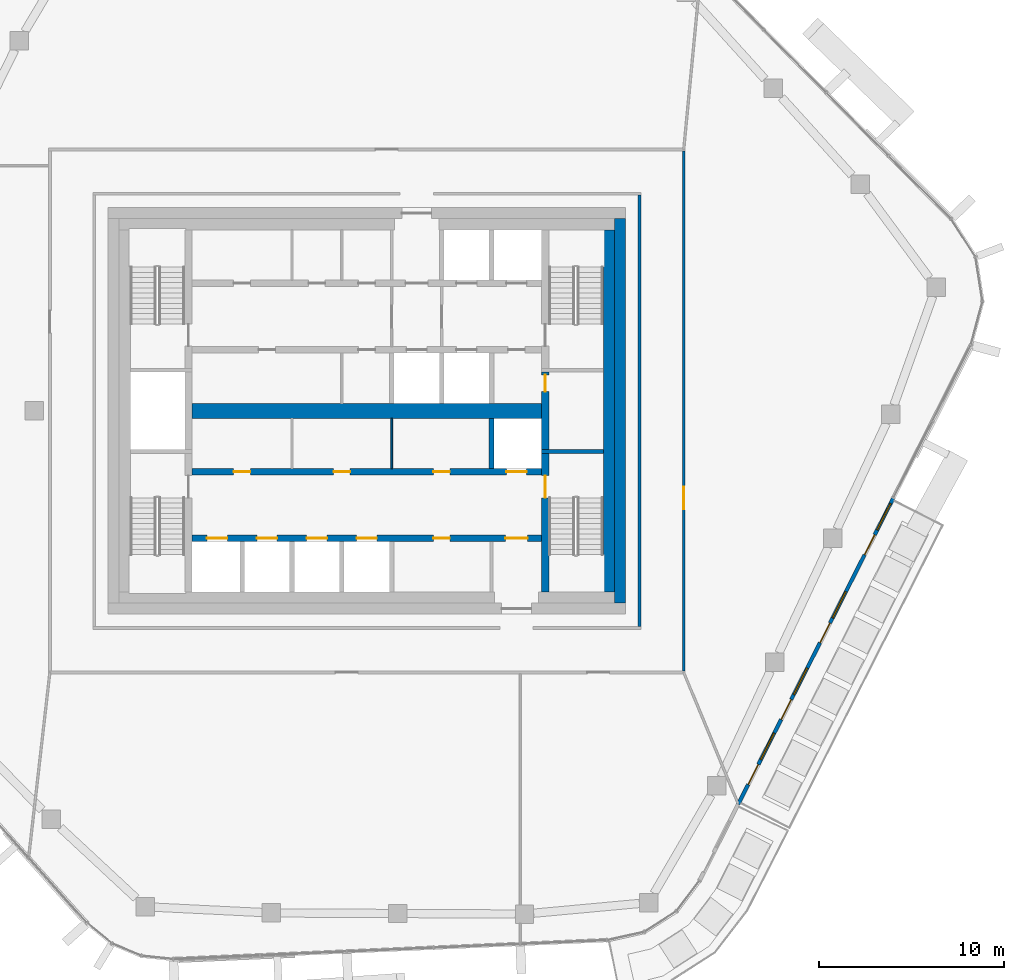
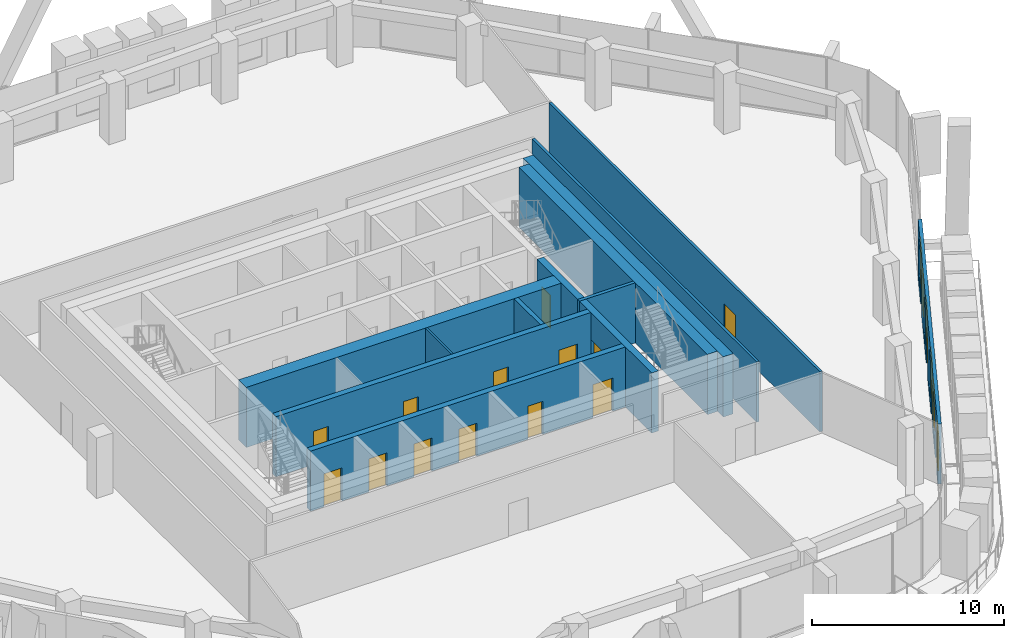
# One storey, part 13 of 23: 17 doors, 13 walls, 4 windows, 21 openings.
"""IFC4 building model written with IfcOpenShell, lengths in metres."""

from ifc_helpers import new_model, si_unit, direction, frame, frame_2d, origin, place, context, subcontext, project, spatial, rectangle, extrude, material, layer, layer_set, type_object, element, fill, save


model = new_model("IFC4")

# Units and contexts
model_context = context("Model", 3, precision=1e-05, world=origin(), true_north=direction((0.0, 1.0)))
body_context = subcontext(model_context, "Body", "Model", "MODEL_VIEW")
ifc_project = project(units=[si_unit("LENGTHUNIT", "METRE"), si_unit("AREAUNIT", "SQUARE_METRE"), si_unit("VOLUMEUNIT", "CUBIC_METRE"), si_unit("PLANEANGLEUNIT", "RADIAN"), si_unit("MASSUNIT", "GRAM", prefix="KILO")], contexts=[model_context])

# Site, building, storey
site_placement = place(None, origin())
site = spatial("IfcSite", under=ifc_project, at=site_placement, CompositionType="ELEMENT")
building_placement = place(site_placement, origin())
building = spatial("IfcBuilding", under=site, at=building_placement, Name="Dongbaek Canopy Tower", CompositionType="ELEMENT")
storey_placement = place(building_placement, frame((0.0, 0.0, 327.800048828125)))
storey = spatial("IfcBuildingStorey", under=building, at=storey_placement, Name="L70", CompositionType="ELEMENT", Elevation=327.800048828125)

# Wall
ifc_material_1 = material(Name="Concrete C60/75", Category="concrete")
ifc_layer_1 = layer(ifc_material_1, 0.800048828125)
ifc_layer_set_1 = layer_set([ifc_layer_1], Name="Core central wall 800 Concrete C60/75")
wall_type_1 = type_object("IfcWallType", Name="Core central wall 800 Concrete C60/75", PredefinedType="SHEAR", material=ifc_layer_set_1)
wall_1_placement = place(storey_placement, frame((-9.449951171875, 0.0, 0.0), z_axis=(0.0, 0.0, 1.0), x_axis=(1.0, 0.0, 0.0)))
element("IfcWall", 1, at=wall_1_placement, inside=storey, type_object=wall_type_1, Name="Core wall", PredefinedType="SHEAR", context=body_context, shape_type="SweptSolid", body=[
    extrude(rectangle(XDim=18.89990234375, YDim=0.800048828125, at=frame_2d((9.449951171875, 0.0))), origin(), (0.0, 0.0, 1.0), 3.820068359375),
])

# Wall, openings, doors
ifc_material_2 = material(Name="Concrete C60/75", Category="concrete")
ifc_layer_2 = layer(ifc_material_2, 0.35009765625)
ifc_layer_set_2 = layer_set([ifc_layer_2], Name="Core lobby wall 350 Concrete C60/75")
wall_type_2 = type_object("IfcWallType", Name="Core lobby wall 350 Concrete C60/75", PredefinedType="SHEAR", material=ifc_layer_set_2)
wall_2_placement = place(storey_placement, frame((-9.449951171875, -3.300048828125, 0.0), z_axis=(0.0, 0.0, 1.0), x_axis=(1.0, 0.0, 0.0)))
wall_2 = element("IfcWall", 2, at=wall_2_placement, inside=storey, type_object=wall_type_2, Name="Core wall", PredefinedType="SHEAR", context=body_context, shape_type="SweptSolid", body=[
    extrude(rectangle(XDim=18.89990234375, YDim=0.35009765625, at=frame_2d((9.449951171875, 0.0))), origin(), (0.0, 0.0, 1.0), 3.820068359375),
])
opening_1_placement = place(wall_2_placement, frame((17.0, 0.0, 0.0)))
opening_1 = element("IfcOpeningElement", 3, at=opening_1_placement, cuts=wall_2, Name="Opening L70-D014", PredefinedType="OPENING", context=body_context, shape_type="SweptSolid", body=[
    extrude(rectangle(XDim=1.10009765625, YDim=2.10009765625, at=frame_2d((0.550048828125, 1.050048828125))), frame((0.0, 0.18505859375, 0.0), z_axis=(0.0, -1.0, 0.0), x_axis=(1.0, 0.0, 0.0)), (0.0, 0.0, 1.0), 0.3701171875),
])
opening_2_placement = place(wall_2_placement, frame((2.25, 0.0, 0.0)))
opening_2 = element("IfcOpeningElement", 4, at=opening_2_placement, cuts=wall_2, Name="Opening L70-D026", PredefinedType="OPENING", context=body_context, shape_type="SweptSolid", body=[
    extrude(rectangle(XDim=0.89990234375, YDim=2.10009765625, at=frame_2d((0.449951171875, 1.050048828125))), frame((0.0, 0.18505859375, 0.0), z_axis=(0.0, -1.0, 0.0), x_axis=(1.0, 0.0, 0.0)), (0.0, 0.0, 1.0), 0.3701171875),
])
opening_3_placement = place(wall_2_placement, frame((7.64990234375, 0.0, 0.0)))
opening_3 = element("IfcOpeningElement", 5, at=opening_3_placement, cuts=wall_2, Name="Opening L70-D027", PredefinedType="OPENING", context=body_context, shape_type="SweptSolid", body=[
    extrude(rectangle(XDim=0.89990234375, YDim=2.10009765625, at=frame_2d((0.449951171875, 1.050048828125))), frame((0.0, 0.18505859375, 0.0), z_axis=(0.0, -1.0, 0.0), x_axis=(1.0, 0.0, 0.0)), (0.0, 0.0, 1.0), 0.3701171875),
])
opening_4_placement = place(wall_2_placement, frame((13.050048828125, 0.0, 0.0)))
opening_4 = element("IfcOpeningElement", 6, at=opening_4_placement, cuts=wall_2, Name="Opening L70-D028", PredefinedType="OPENING", context=body_context, shape_type="SweptSolid", body=[
    extrude(rectangle(XDim=0.89990234375, YDim=2.10009765625, at=frame_2d((0.449951171875, 1.050048828125))), frame((0.0, 0.18505859375, 0.0), z_axis=(0.0, -1.0, 0.0), x_axis=(1.0, 0.0, 0.0)), (0.0, 0.0, 1.0), 0.3701171875),
])
ifc_material_3 = material(Name="Steel", Category="steel")
door_type_1 = type_object("IfcDoorType", Name="Core room door 900 x 2100", OperationType="SINGLE_SWING_LEFT", PredefinedType="DOOR", material=ifc_material_3)
door_1_placement = place(opening_2_placement, origin())
door_1 = element("IfcDoor", 7, at=door_1_placement, inside=storey, type_object=door_type_1, Name="Door L70-D026", OperationType="SINGLE_SWING_LEFT", OverallHeight=2.10009765625, OverallWidth=0.89990234375, PredefinedType="DOOR", context=body_context, shape_type="SweptSolid", body=[
    extrude(rectangle(XDim=0.89990234375, YDim=2.10009765625, at=frame_2d((0.449951171875, 1.050048828125))), frame((0.0, 0.02490234375, 0.0), z_axis=(0.0, -1.0, 0.0), x_axis=(1.0, 0.0, 0.0)), (0.0, 0.0, 1.0), 0.050048828125),
])
fill(opening_2, door_1)
door_2_placement = place(opening_3_placement, origin())
door_2 = element("IfcDoor", 8, at=door_2_placement, inside=storey, type_object=door_type_1, Name="Door L70-D027", OperationType="SINGLE_SWING_RIGHT", OverallHeight=2.10009765625, OverallWidth=0.89990234375, PredefinedType="DOOR", context=body_context, shape_type="SweptSolid", body=[
    extrude(rectangle(XDim=0.89990234375, YDim=2.10009765625, at=frame_2d((0.449951171875, 1.050048828125))), frame((0.0, 0.02490234375, 0.0), z_axis=(0.0, -1.0, 0.0), x_axis=(1.0, 0.0, 0.0)), (0.0, 0.0, 1.0), 0.050048828125),
])
fill(opening_3, door_2)
door_3_placement = place(opening_4_placement, origin())
door_3 = element("IfcDoor", 9, at=door_3_placement, inside=storey, type_object=door_type_1, Name="Door L70-D028", OperationType="SINGLE_SWING_LEFT", OverallHeight=2.10009765625, OverallWidth=0.89990234375, PredefinedType="DOOR", context=body_context, shape_type="SweptSolid", body=[
    extrude(rectangle(XDim=0.89990234375, YDim=2.10009765625, at=frame_2d((0.449951171875, 1.050048828125))), frame((0.0, 0.02490234375, 0.0), z_axis=(0.0, -1.0, 0.0), x_axis=(1.0, 0.0, 0.0)), (0.0, 0.0, 1.0), 0.050048828125),
])
fill(opening_4, door_3)
ifc_material_4 = material(Name="Stainless steel", Category="steel")
door_type_2 = type_object("IfcDoorType", Name="Lift landing door 1100 x 2100", OperationType="DOUBLE_DOOR_SLIDING", PredefinedType="DOOR", material=ifc_material_4)
door_4_placement = place(opening_1_placement, origin())
door_4 = element("IfcDoor", 10, at=door_4_placement, inside=storey, type_object=door_type_2, Name="Landing door SV2", OperationType="DOUBLE_DOOR_SLIDING", OverallHeight=2.10009765625, OverallWidth=1.10009765625, PredefinedType="DOOR", context=body_context, shape_type="SweptSolid", body=[
    extrude(rectangle(XDim=1.10009765625, YDim=2.10009765625, at=frame_2d((0.550048828125, 1.050048828125))), frame((0.0, 0.02490234375, 0.0), z_axis=(0.0, -1.0, 0.0), x_axis=(1.0, 0.0, 0.0)), (0.0, 0.0, 1.0), 0.050048828125),
])
fill(opening_1, door_4)

wall_3_placement = place(storey_placement, frame((9.449951171875, -6.89990234375, 0.0), z_axis=(0.0, 0.0, 1.0), x_axis=(-1.0, 0.0, 0.0)))
wall_3 = element("IfcWall", 11, at=wall_3_placement, inside=storey, type_object=wall_type_2, Name="Core wall", PredefinedType="SHEAR", context=body_context, shape_type="SweptSolid", body=[
    extrude(rectangle(XDim=18.89990234375, YDim=0.35009765625, at=frame_2d((9.449951171875, 0.0))), origin(), (0.0, 0.0, 1.0), 3.820068359375),
])
opening_5_placement = place(wall_3_placement, frame((17.0, 0.0, 0.0)))
opening_5 = element("IfcOpeningElement", 12, at=opening_5_placement, cuts=wall_3, Name="Opening L70-D015", PredefinedType="OPENING", context=body_context, shape_type="SweptSolid", body=[
    extrude(rectangle(XDim=1.10009765625, YDim=2.10009765625, at=frame_2d((0.550048828125, 1.050048828125))), frame((0.0, 0.18505859375, 0.0), z_axis=(0.0, -1.0, 0.0), x_axis=(1.0, 0.0, 0.0)), (0.0, 0.0, 1.0), 0.3701171875),
])
opening_6_placement = place(wall_3_placement, frame((14.300048828125, 0.0, 0.0)))
opening_6 = element("IfcOpeningElement", 13, at=opening_6_placement, cuts=wall_3, Name="Opening L70-D016", PredefinedType="OPENING", context=body_context, shape_type="SweptSolid", body=[
    extrude(rectangle(XDim=1.10009765625, YDim=2.10009765625, at=frame_2d((0.550048828125, 1.050048828125))), frame((0.0, 0.18505859375, 0.0), z_axis=(0.0, -1.0, 0.0), x_axis=(1.0, 0.0, 0.0)), (0.0, 0.0, 1.0), 0.3701171875),
])
opening_7_placement = place(wall_3_placement, frame((11.60009765625, 0.0, 0.0)))
opening_7 = element("IfcOpeningElement", 14, at=opening_7_placement, cuts=wall_3, Name="Opening L70-D017", PredefinedType="OPENING", context=body_context, shape_type="SweptSolid", body=[
    extrude(rectangle(XDim=1.10009765625, YDim=2.10009765625, at=frame_2d((0.550048828125, 1.050048828125))), frame((0.0, 0.18505859375, 0.0), z_axis=(0.0, -1.0, 0.0), x_axis=(1.0, 0.0, 0.0)), (0.0, 0.0, 1.0), 0.3701171875),
])
opening_8_placement = place(wall_3_placement, frame((8.89990234375, 0.0, 0.0)))
opening_8 = element("IfcOpeningElement", 15, at=opening_8_placement, cuts=wall_3, Name="Opening L70-D018", PredefinedType="OPENING", context=body_context, shape_type="SweptSolid", body=[
    extrude(rectangle(XDim=1.10009765625, YDim=2.10009765625, at=frame_2d((0.550048828125, 1.050048828125))), frame((0.0, 0.18505859375, 0.0), z_axis=(0.0, -1.0, 0.0), x_axis=(1.0, 0.0, 0.0)), (0.0, 0.0, 1.0), 0.3701171875),
])
opening_9_placement = place(wall_3_placement, frame((0.75, 0.0, 0.0)))
opening_9 = element("IfcOpeningElement", 16, at=opening_9_placement, cuts=wall_3, Name="Opening L70-D020", PredefinedType="OPENING", context=body_context, shape_type="SweptSolid", body=[
    extrude(rectangle(XDim=1.199951171875, YDim=2.10009765625, at=frame_2d((0.60009765625, 1.050048828125))), frame((0.0, 0.18505859375, 0.0), z_axis=(0.0, -1.0, 0.0), x_axis=(1.0, 0.0, 0.0)), (0.0, 0.0, 1.0), 0.3701171875),
])
opening_10_placement = place(wall_3_placement, frame((4.949951171875, 0.0, 0.0)))
opening_10 = element("IfcOpeningElement", 17, at=opening_10_placement, cuts=wall_3, Name="Opening L70-D029", PredefinedType="OPENING", context=body_context, shape_type="SweptSolid", body=[
    extrude(rectangle(XDim=0.89990234375, YDim=2.10009765625, at=frame_2d((0.449951171875, 1.050048828125))), frame((0.0, 0.18505859375, 0.0), z_axis=(0.0, -1.0, 0.0), x_axis=(1.0, 0.0, 0.0)), (0.0, 0.0, 1.0), 0.3701171875),
])
door_5_placement = place(opening_10_placement, origin())
door_5 = element("IfcDoor", 18, at=door_5_placement, inside=storey, type_object=door_type_1, Name="Door L70-D029", OperationType="SINGLE_SWING_RIGHT", OverallHeight=2.10009765625, OverallWidth=0.89990234375, PredefinedType="DOOR", context=body_context, shape_type="SweptSolid", body=[
    extrude(rectangle(XDim=0.89990234375, YDim=2.10009765625, at=frame_2d((0.449951171875, 1.050048828125))), frame((0.0, 0.02490234375, 0.0), z_axis=(0.0, -1.0, 0.0), x_axis=(1.0, 0.0, 0.0)), (0.0, 0.0, 1.0), 0.050048828125),
])
fill(opening_10, door_5)
ifc_material_5 = material(Name="Steel", Category="steel")
door_type_3 = type_object("IfcDoorType", Name="Fire lobby door 1200 x 2100", OperationType="SINGLE_SWING_LEFT", PredefinedType="DOOR", material=ifc_material_5)
door_6_placement = place(opening_9_placement, origin())
door_6 = element("IfcDoor", 19, at=door_6_placement, inside=storey, type_object=door_type_3, Name="Door L70-D020", OperationType="SINGLE_SWING_LEFT", OverallHeight=2.10009765625, OverallWidth=1.199951171875, PredefinedType="DOOR", context=body_context, shape_type="SweptSolid", body=[
    extrude(rectangle(XDim=1.199951171875, YDim=2.10009765625, at=frame_2d((0.60009765625, 1.050048828125))), frame((0.0, 0.02490234375, 0.0), z_axis=(0.0, -1.0, 0.0), x_axis=(1.0, 0.0, 0.0)), (0.0, 0.0, 1.0), 0.050048828125),
])
fill(opening_9, door_6)
door_7_placement = place(opening_5_placement, origin())
door_7 = element("IfcDoor", 20, at=door_7_placement, inside=storey, type_object=door_type_2, Name="Landing door HR1", OperationType="DOUBLE_DOOR_SLIDING", OverallHeight=2.10009765625, OverallWidth=1.10009765625, PredefinedType="DOOR", context=body_context, shape_type="SweptSolid", body=[
    extrude(rectangle(XDim=1.10009765625, YDim=2.10009765625, at=frame_2d((0.550048828125, 1.050048828125))), frame((0.0, 0.02490234375, 0.0), z_axis=(0.0, -1.0, 0.0), x_axis=(1.0, 0.0, 0.0)), (0.0, 0.0, 1.0), 0.050048828125),
])
fill(opening_5, door_7)
door_8_placement = place(opening_6_placement, origin())
door_8 = element("IfcDoor", 21, at=door_8_placement, inside=storey, type_object=door_type_2, Name="Landing door HR2", OperationType="DOUBLE_DOOR_SLIDING", OverallHeight=2.10009765625, OverallWidth=1.10009765625, PredefinedType="DOOR", context=body_context, shape_type="SweptSolid", body=[
    extrude(rectangle(XDim=1.10009765625, YDim=2.10009765625, at=frame_2d((0.550048828125, 1.050048828125))), frame((0.0, 0.02490234375, 0.0), z_axis=(0.0, -1.0, 0.0), x_axis=(1.0, 0.0, 0.0)), (0.0, 0.0, 1.0), 0.050048828125),
])
fill(opening_6, door_8)
door_9_placement = place(opening_7_placement, origin())
door_9 = element("IfcDoor", 22, at=door_9_placement, inside=storey, type_object=door_type_2, Name="Landing door HR3", OperationType="DOUBLE_DOOR_SLIDING", OverallHeight=2.10009765625, OverallWidth=1.10009765625, PredefinedType="DOOR", context=body_context, shape_type="SweptSolid", body=[
    extrude(rectangle(XDim=1.10009765625, YDim=2.10009765625, at=frame_2d((0.550048828125, 1.050048828125))), frame((0.0, 0.02490234375, 0.0), z_axis=(0.0, -1.0, 0.0), x_axis=(1.0, 0.0, 0.0)), (0.0, 0.0, 1.0), 0.050048828125),
])
fill(opening_7, door_9)
door_10_placement = place(opening_8_placement, origin())
door_10 = element("IfcDoor", 23, at=door_10_placement, inside=storey, type_object=door_type_2, Name="Landing door HR4", OperationType="DOUBLE_DOOR_SLIDING", OverallHeight=2.10009765625, OverallWidth=1.10009765625, PredefinedType="DOOR", context=body_context, shape_type="SweptSolid", body=[
    extrude(rectangle(XDim=1.10009765625, YDim=2.10009765625, at=frame_2d((0.550048828125, 1.050048828125))), frame((0.0, 0.02490234375, 0.0), z_axis=(0.0, -1.0, 0.0), x_axis=(1.0, 0.0, 0.0)), (0.0, 0.0, 1.0), 0.050048828125),
])
fill(opening_8, door_10)

# Walls
ifc_material_6 = material(Name="Concrete C80/95", Category="concrete")
ifc_layer_3 = layer(ifc_material_6, 0.60009765625)
ifc_layer_set_3 = layer_set([ifc_layer_3], Name="Core outer wall 600 Concrete C80/95")
wall_type_3 = type_object("IfcWallType", Name="Core outer wall 600 Concrete C80/95", PredefinedType="SHEAR", material=ifc_layer_set_3)
wall_4_placement = place(storey_placement, frame((13.699951171875, 10.39990234375, 0.0), z_axis=(0.0, 0.0, 1.0), x_axis=(0.0, -1.0, 0.0)))
element("IfcWall", 24, at=wall_4_placement, inside=storey, type_object=wall_type_3, Name="Core wall", PredefinedType="SHEAR", context=body_context, shape_type="SweptSolid", body=[
    extrude(rectangle(XDim=20.7998046875, YDim=0.60009765625, at=frame_2d((10.39990234375, 0.0))), origin(), (0.0, 0.0, 1.0), 3.820068359375),
])
ifc_material_7 = material(Name="Concrete C60/75", Category="concrete")
ifc_layer_4 = layer(ifc_material_7, 0.60009765625)
ifc_layer_set_4 = layer_set([ifc_layer_4], Name="Core wall lining 600 Concrete C60/75")
wall_type_4 = type_object("IfcWallType", Name="Core wall lining 600 Concrete C60/75", PredefinedType="SHEAR", material=ifc_layer_set_4)
wall_5_placement = place(storey_placement, frame((13.10009765625, 9.800048828125, 0.0), z_axis=(0.0, 0.0, 1.0), x_axis=(0.0, -1.0, 0.0)))
element("IfcWall", 25, at=wall_5_placement, inside=storey, type_object=wall_type_4, Name="Core wall lining", PredefinedType="SHEAR", context=body_context, shape_type="SweptSolid", body=[
    extrude(rectangle(XDim=19.60009765625, YDim=0.60009765625, at=frame_2d((9.800048828125, 0.0))), origin(), (0.0, 0.0, 1.0), 3.820068359375),
])

# Wall, opening, door
ifc_material_8 = material(Name="Gypsum board partition, steel stud, 2 x 15 mm fire board", Category="steel")
ifc_layer_5 = layer(ifc_material_8, 0.14990234375)
ifc_layer_set_5 = layer_set([ifc_layer_5], Name="Fire-rated partition 150 gypsum board")
wall_type_5 = type_object("IfcWallType", Name="Fire-rated partition 150 gypsum board", PredefinedType="PARTITIONING", material=ifc_layer_set_5)
wall_6_placement = place(storey_placement, frame((17.14990234375, 14.074951171875, 0.0), z_axis=(0.0, 0.0, 1.0), x_axis=(0.0, -1.0, 0.0)))
wall_6 = element("IfcWall", 26, at=wall_6_placement, inside=storey, type_object=wall_type_5, Name="Corridor partition", PredefinedType="PARTITIONING", context=body_context, shape_type="SweptSolid", body=[
    extrude(rectangle(XDim=28.14990234375, YDim=0.14990234375, at=frame_2d((14.074951171875, 0.0))), origin(), (0.0, 0.0, 1.0), 3.820068359375),
])
opening_11_placement = place(wall_6_placement, frame((18.185791015625, 0.0, 0.0)))
opening_11 = element("IfcOpeningElement", 27, at=opening_11_placement, cuts=wall_6, Name="Opening L70-D004", PredefinedType="OPENING", context=body_context, shape_type="SweptSolid", body=[
    extrude(rectangle(XDim=1.199951171875, YDim=2.10009765625, at=frame_2d((0.60009765625, 1.050048828125))), frame((0.0, 0.0849609375, 0.0), z_axis=(0.0, -1.0, 0.0), x_axis=(1.0, 0.0, 0.0)), (0.0, 0.0, 1.0), 0.169921875),
])
ifc_material_9 = material(Name="Timber veneered door leaf", Category="wood")
door_type_4 = type_object("IfcDoorType", Name="Room door 1200 x 2100", OperationType="SINGLE_SWING_LEFT", PredefinedType="DOOR", material=ifc_material_9)
door_11_placement = place(opening_11_placement, origin())
door_11 = element("IfcDoor", 28, at=door_11_placement, inside=storey, type_object=door_type_4, Name="Door L70-D004", OperationType="SINGLE_SWING_LEFT", OverallHeight=2.10009765625, OverallWidth=1.199951171875, PredefinedType="DOOR", context=body_context, shape_type="SweptSolid", body=[
    extrude(rectangle(XDim=1.199951171875, YDim=2.10009765625, at=frame_2d((0.60009765625, 1.050048828125))), frame((0.0, 0.02490234375, 0.0), z_axis=(0.0, -1.0, 0.0), x_axis=(1.0, 0.0, 0.0)), (0.0, 0.0, 1.0), 0.050048828125),
])
fill(opening_11, door_11)

# Walls
wall_7_placement = place(storey_placement, frame((14.75, -11.675048828125, 0.0), z_axis=(0.0, 0.0, 1.0), x_axis=(0.0, 1.0, 0.0)))
element("IfcWall", 29, at=wall_7_placement, inside=storey, type_object=wall_type_5, Name="Corridor partition", PredefinedType="PARTITIONING", context=body_context, shape_type="SweptSolid", body=[
    extrude(rectangle(XDim=23.35009765625, YDim=0.14990234375, at=frame_2d((11.675048828125, 0.0))), origin(), (0.0, 0.0, 1.0), 3.820068359375),
])
ifc_material_10 = material(Name="Concrete C40/50", Category="concrete")
ifc_layer_6 = layer(ifc_material_10, 0.25)
ifc_layer_set_6 = layer_set([ifc_layer_6], Name="Lift shaft wall 250 Concrete C40/50")
wall_type_6 = type_object("IfcWallType", Name="Lift shaft wall 250 Concrete C40/50", PredefinedType="SOLIDWALL", material=ifc_layer_set_6)
wall_8_placement = place(storey_placement, frame((6.75, -3.125, 0.0), z_axis=(0.0, 0.0, 1.0), x_axis=(0.0, 1.0, 0.0)))
element("IfcWall", 30, at=wall_8_placement, inside=storey, type_object=wall_type_6, Name="Lift shaft wall", PredefinedType="SOLIDWALL", context=body_context, shape_type="SweptSolid", body=[
    extrude(rectangle(XDim=2.72509765625, YDim=0.25, at=frame_2d((1.362548828125, 0.0))), origin(), (0.0, 0.0, 1.0), 3.820068359375),
])
ifc_material_11 = material(Name="Gypsum board partition, steel stud, 2 x 12.5 mm board", Category="steel")
ifc_layer_7 = layer(ifc_material_11, 0.10009765625)
ifc_layer_set_7 = layer_set([ifc_layer_7], Name="Partition 100 gypsum board")
wall_type_7 = type_object("IfcWallType", Name="Partition 100 gypsum board", PredefinedType="PARTITIONING", material=ifc_layer_set_7)
wall_9_placement = place(storey_placement, frame((1.35009765625, -3.125, 0.0), z_axis=(0.0, 0.0, 1.0), x_axis=(0.0, 1.0, 0.0)))
element("IfcWall", 31, at=wall_9_placement, inside=storey, type_object=wall_type_7, Name="Core partition", PredefinedType="PARTITIONING", context=body_context, shape_type="SweptSolid", body=[
    extrude(rectangle(XDim=2.72509765625, YDim=0.10009765625, at=frame_2d((1.362548828125, 0.0))), origin(), (0.0, 0.0, 1.0), 3.820068359375),
])
ifc_material_12 = material(Name="Concrete C60/75", Category="concrete")
ifc_layer_8 = layer(ifc_material_12, 0.199951171875)
ifc_layer_set_8 = layer_set([ifc_layer_8], Name="Riser wall 200 Concrete C60/75")
wall_type_8 = type_object("IfcWallType", Name="Riser wall 200 Concrete C60/75", PredefinedType="SHEAR", material=ifc_layer_set_8)
wall_10_placement = place(storey_placement, frame((9.449951171875, -2.199951171875, 0.0), z_axis=(0.0, 0.0, 1.0), x_axis=(1.0, 0.0, 0.0)))
element("IfcWall", 32, at=wall_10_placement, inside=storey, type_object=wall_type_8, Name="Riser wall", PredefinedType="SHEAR", context=body_context, shape_type="SweptSolid", body=[
    extrude(rectangle(XDim=3.35009765625, YDim=0.199951171875, at=frame_2d((1.675048828125, 0.0))), origin(), (0.0, 0.0, 1.0), 3.820068359375),
])

# Wall, opening, door
ifc_material_13 = material(Name="Concrete C60/75", Category="concrete")
ifc_layer_9 = layer(ifc_material_13, 0.39990234375)
ifc_layer_set_9 = layer_set([ifc_layer_9], Name="Stair wall 400 Concrete C60/75")
wall_type_9 = type_object("IfcWallType", Name="Stair wall 400 Concrete C60/75", PredefinedType="SHEAR", material=ifc_layer_set_9)
wall_11_placement = place(storey_placement, frame((9.64990234375, -2.300048828125, 0.0), z_axis=(0.0, 0.0, 1.0), x_axis=(0.0, -1.0, 0.0)))
wall_11 = element("IfcWall", 33, at=wall_11_placement, inside=storey, type_object=wall_type_9, Name="Stair wall", PredefinedType="SHEAR", context=body_context, shape_type="SweptSolid", body=[
    extrude(rectangle(XDim=7.5, YDim=0.39990234375, at=frame_2d((3.75, 0.0))), origin(), (0.0, 0.0, 1.0), 3.820068359375),
])
opening_12_placement = place(wall_11_placement, frame((1.199951171875, 0.0, 0.0)))
opening_12 = element("IfcOpeningElement", 34, at=opening_12_placement, cuts=wall_11, Name="Opening L70-D032", PredefinedType="OPENING", context=body_context, shape_type="SweptSolid", body=[
    extrude(rectangle(XDim=1.199951171875, YDim=2.10009765625, at=frame_2d((0.60009765625, 1.050048828125))), frame((0.0, 0.2099609375, 0.0), z_axis=(0.0, -1.0, 0.0), x_axis=(1.0, 0.0, 0.0)), (0.0, 0.0, 1.0), 0.419921875),
])
ifc_material_14 = material(Name="Steel", Category="steel")
door_type_5 = type_object("IfcDoorType", Name="Stair door 1200 x 2100", OperationType="SINGLE_SWING_LEFT", PredefinedType="DOOR", material=ifc_material_14)
door_12_placement = place(opening_12_placement, origin())
door_12 = element("IfcDoor", 35, at=door_12_placement, inside=storey, type_object=door_type_5, Name="Stair B door", OperationType="SINGLE_SWING_RIGHT", OverallHeight=2.10009765625, OverallWidth=1.199951171875, PredefinedType="DOOR", context=body_context, shape_type="SweptSolid", body=[
    extrude(rectangle(XDim=1.199951171875, YDim=2.10009765625, at=frame_2d((0.60009765625, 1.050048828125))), frame((0.0, 0.02490234375, 0.0), z_axis=(0.0, -1.0, 0.0), x_axis=(1.0, 0.0, 0.0)), (0.0, 0.0, 1.0), 0.050048828125),
])
fill(opening_12, door_12)

wall_12_placement = place(storey_placement, frame((9.64990234375, 2.10009765625, 0.0), z_axis=(0.0, 0.0, 1.0), x_axis=(0.0, -1.0, 0.0)))
wall_12 = element("IfcWall", 36, at=wall_12_placement, inside=storey, type_object=wall_type_9, Name="Stair wall", PredefinedType="SHEAR", context=body_context, shape_type="SweptSolid", body=[
    extrude(rectangle(XDim=4.2001953125, YDim=0.39990234375, at=frame_2d((2.10009765625, 0.0))), origin(), (0.0, 0.0, 1.0), 3.820068359375),
])
opening_13_placement = place(wall_12_placement, frame((0.14990234375, 0.0, 0.0)))
opening_13 = element("IfcOpeningElement", 37, at=opening_13_placement, cuts=wall_12, Name="Opening L70-D006", PredefinedType="OPENING", context=body_context, shape_type="SweptSolid", body=[
    extrude(rectangle(XDim=0.89990234375, YDim=2.10009765625, at=frame_2d((0.449951171875, 1.050048828125))), frame((0.0, 0.2099609375, 0.0), z_axis=(0.0, -1.0, 0.0), x_axis=(1.0, 0.0, 0.0)), (0.0, 0.0, 1.0), 0.419921875),
])
door_13_placement = place(opening_13_placement, origin())
door_13 = element("IfcDoor", 38, at=door_13_placement, inside=storey, type_object=door_type_1, Name="Door L70-D006", OperationType="SINGLE_SWING_RIGHT", OverallHeight=2.10009765625, OverallWidth=0.89990234375, PredefinedType="DOOR", context=body_context, shape_type="SweptSolid", body=[
    extrude(rectangle(XDim=0.89990234375, YDim=2.10009765625, at=frame_2d((0.449951171875, 1.050048828125))), frame((0.0, 0.02490234375, 0.0), z_axis=(0.0, -1.0, 0.0), x_axis=(1.0, 0.0, 0.0)), (0.0, 0.0, 1.0), 0.050048828125),
])
fill(opening_13, door_13)

# Wall, openings, doors, windows
ifc_material_15 = material(Name="Aluminium window wall", Category="aluminium")
ifc_layer_10 = layer(ifc_material_15, 0.199951171875)
ifc_layer_set_10 = layer_set([ifc_layer_10], Name="Window wall 200")
wall_type_10 = type_object("IfcWallType", Name="Window wall 200", PredefinedType="SOLIDWALL", material=ifc_layer_set_10)
wall_13_placement = place(storey_placement, frame((20.102294921875, -21.27587890625, 0.0), z_axis=(0.0, 0.0, 1.0), x_axis=(0.451966467013, 0.892034927957, 0.0)))
wall_13 = element("IfcWall", 39, at=wall_13_placement, inside=storey, type_object=wall_type_10, Name="Window wall L70 4", PredefinedType="SOLIDWALL", context=body_context, shape_type="SweptSolid", body=[
    extrude(rectangle(XDim=18.570068359375, YDim=0.199951171875, at=frame_2d((9.28515625, 0.0))), origin(), (0.0, 0.0, 1.0), 3.820068359375),
])
opening_14_placement = place(wall_13_placement, frame((2.699951171875, 0.0, 0.60009765625)))
opening_14 = element("IfcOpeningElement", 40, at=opening_14_placement, cuts=wall_13, Name="Opening W1", PredefinedType="OPENING", context=body_context, shape_type="SweptSolid", body=[
    extrude(rectangle(XDim=1.60009765625, YDim=2.39990234375, at=frame_2d((0.800048828125, 1.199951171875))), frame((0.0, 0.10986328125, 0.0), z_axis=(0.0, -1.0, 0.0), x_axis=(1.0, 0.0, 0.0)), (0.0, 0.0, 1.0), 0.219970703125),
])
opening_15_placement = place(wall_13_placement, frame((1.199951171875, 0.0, 0.0)))
opening_15 = element("IfcOpeningElement", 41, at=opening_15_placement, cuts=wall_13, Name="Opening L70-B12", PredefinedType="OPENING", context=body_context, shape_type="SweptSolid", body=[
    extrude(rectangle(XDim=1.199951171875, YDim=2.39990234375, at=frame_2d((0.60009765625, 1.199951171875))), frame((0.0, 0.10986328125, 0.0), z_axis=(0.0, -1.0, 0.0), x_axis=(1.0, 0.0, 0.0)), (0.0, 0.0, 1.0), 0.219970703125),
])
opening_16_placement = place(wall_13_placement, frame((6.642578125, 0.0, 0.60009765625)))
opening_16 = element("IfcOpeningElement", 42, at=opening_16_placement, cuts=wall_13, Name="Opening W1", PredefinedType="OPENING", context=body_context, shape_type="SweptSolid", body=[
    extrude(rectangle(XDim=1.60009765625, YDim=2.39990234375, at=frame_2d((0.800048828125, 1.199951171875))), frame((0.0, 0.10986328125, 0.0), z_axis=(0.0, -1.0, 0.0), x_axis=(1.0, 0.0, 0.0)), (0.0, 0.0, 1.0), 0.219970703125),
])
opening_17_placement = place(wall_13_placement, frame((5.142578125, 0.0, 0.0)))
opening_17 = element("IfcOpeningElement", 43, at=opening_17_placement, cuts=wall_13, Name="Opening L70-B13", PredefinedType="OPENING", context=body_context, shape_type="SweptSolid", body=[
    extrude(rectangle(XDim=1.199951171875, YDim=2.39990234375, at=frame_2d((0.60009765625, 1.199951171875))), frame((0.0, 0.10986328125, 0.0), z_axis=(0.0, -1.0, 0.0), x_axis=(1.0, 0.0, 0.0)), (0.0, 0.0, 1.0), 0.219970703125),
])
opening_18_placement = place(wall_13_placement, frame((11.284912109375, 0.0, 0.60009765625)))
opening_18 = element("IfcOpeningElement", 44, at=opening_18_placement, cuts=wall_13, Name="Opening W1", PredefinedType="OPENING", context=body_context, shape_type="SweptSolid", body=[
    extrude(rectangle(XDim=1.60009765625, YDim=2.39990234375, at=frame_2d((0.800048828125, 1.199951171875))), frame((0.0, 0.10986328125, 0.0), z_axis=(0.0, -1.0, 0.0), x_axis=(1.0, 0.0, 0.0)), (0.0, 0.0, 1.0), 0.219970703125),
])
opening_19_placement = place(wall_13_placement, frame((9.784912109375, 0.0, 0.0)))
opening_19 = element("IfcOpeningElement", 45, at=opening_19_placement, cuts=wall_13, Name="Opening L70-B14", PredefinedType="OPENING", context=body_context, shape_type="SweptSolid", body=[
    extrude(rectangle(XDim=1.199951171875, YDim=2.39990234375, at=frame_2d((0.60009765625, 1.199951171875))), frame((0.0, 0.10986328125, 0.0), z_axis=(0.0, -1.0, 0.0), x_axis=(1.0, 0.0, 0.0)), (0.0, 0.0, 1.0), 0.219970703125),
])
opening_20_placement = place(wall_13_placement, frame((16.62744140625, 0.0, 0.60009765625)))
opening_20 = element("IfcOpeningElement", 46, at=opening_20_placement, cuts=wall_13, Name="Opening W1", PredefinedType="OPENING", context=body_context, shape_type="SweptSolid", body=[
    extrude(rectangle(XDim=1.60009765625, YDim=2.39990234375, at=frame_2d((0.800048828125, 1.199951171875))), frame((0.0, 0.10986328125, 0.0), z_axis=(0.0, -1.0, 0.0), x_axis=(1.0, 0.0, 0.0)), (0.0, 0.0, 1.0), 0.219970703125),
])
opening_21_placement = place(wall_13_placement, frame((15.12744140625, 0.0, 0.0)))
opening_21 = element("IfcOpeningElement", 47, at=opening_21_placement, cuts=wall_13, Name="Opening L70-B15", PredefinedType="OPENING", context=body_context, shape_type="SweptSolid", body=[
    extrude(rectangle(XDim=1.199951171875, YDim=2.39990234375, at=frame_2d((0.60009765625, 1.199951171875))), frame((0.0, 0.10986328125, 0.0), z_axis=(0.0, -1.0, 0.0), x_axis=(1.0, 0.0, 0.0)), (0.0, 0.0, 1.0), 0.219970703125),
])
ifc_material_16 = material(Name="Clear glazing in aluminium frame", Category="aluminium")
door_type_6 = type_object("IfcDoorType", Name="Balcony door BD1 1200 x 2400", OperationType="SLIDING_TO_LEFT", PredefinedType="DOOR", material=ifc_material_16)
door_14_placement = place(opening_15_placement, origin())
door_14 = element("IfcDoor", 48, at=door_14_placement, inside=storey, type_object=door_type_6, Name="Balcony door L70-B12", OperationType="SLIDING_TO_LEFT", OverallHeight=2.39990234375, OverallWidth=1.199951171875, PredefinedType="DOOR", context=body_context, shape_type="SweptSolid", body=[
    extrude(rectangle(XDim=1.199951171875, YDim=2.39990234375, at=frame_2d((0.60009765625, 1.199951171875))), frame((0.0, 0.02490234375, 0.0), z_axis=(0.0, -1.0, 0.0), x_axis=(1.0, 0.0, 0.0)), (0.0, 0.0, 1.0), 0.050048828125),
])
fill(opening_15, door_14)
door_15_placement = place(opening_17_placement, origin())
door_15 = element("IfcDoor", 49, at=door_15_placement, inside=storey, type_object=door_type_6, Name="Balcony door L70-B13", OperationType="SLIDING_TO_LEFT", OverallHeight=2.39990234375, OverallWidth=1.199951171875, PredefinedType="DOOR", context=body_context, shape_type="SweptSolid", body=[
    extrude(rectangle(XDim=1.199951171875, YDim=2.39990234375, at=frame_2d((0.60009765625, 1.199951171875))), frame((0.0, 0.02490234375, 0.0), z_axis=(0.0, -1.0, 0.0), x_axis=(1.0, 0.0, 0.0)), (0.0, 0.0, 1.0), 0.050048828125),
])
fill(opening_17, door_15)
door_16_placement = place(opening_19_placement, origin())
door_16 = element("IfcDoor", 50, at=door_16_placement, inside=storey, type_object=door_type_6, Name="Balcony door L70-B14", OperationType="SLIDING_TO_LEFT", OverallHeight=2.39990234375, OverallWidth=1.199951171875, PredefinedType="DOOR", context=body_context, shape_type="SweptSolid", body=[
    extrude(rectangle(XDim=1.199951171875, YDim=2.39990234375, at=frame_2d((0.60009765625, 1.199951171875))), frame((0.0, 0.02490234375, 0.0), z_axis=(0.0, -1.0, 0.0), x_axis=(1.0, 0.0, 0.0)), (0.0, 0.0, 1.0), 0.050048828125),
])
fill(opening_19, door_16)
door_17_placement = place(opening_21_placement, origin())
door_17 = element("IfcDoor", 51, at=door_17_placement, inside=storey, type_object=door_type_6, Name="Balcony door L70-B15", OperationType="SLIDING_TO_LEFT", OverallHeight=2.39990234375, OverallWidth=1.199951171875, PredefinedType="DOOR", context=body_context, shape_type="SweptSolid", body=[
    extrude(rectangle(XDim=1.199951171875, YDim=2.39990234375, at=frame_2d((0.60009765625, 1.199951171875))), frame((0.0, 0.02490234375, 0.0), z_axis=(0.0, -1.0, 0.0), x_axis=(1.0, 0.0, 0.0)), (0.0, 0.0, 1.0), 0.050048828125),
])
fill(opening_21, door_17)
ifc_material_17 = material(Name="Clear glazing in aluminium frame", Category="aluminium")
window_type = type_object("IfcWindowType", Name="Window W1 1600 x 2400", PartitioningType="SINGLE_PANEL", PredefinedType="WINDOW", material=ifc_material_17)
window_1_placement = place(opening_14_placement, origin())
window_1 = element("IfcWindow", 52, at=window_1_placement, inside=storey, type_object=window_type, Name="Window L70 4.1", OverallHeight=2.39990234375, OverallWidth=1.60009765625, PartitioningType="SINGLE_PANEL", PredefinedType="WINDOW", context=body_context, shape_type="SweptSolid", body=[
    extrude(rectangle(XDim=1.60009765625, YDim=2.39990234375, at=frame_2d((0.800048828125, 1.199951171875))), frame((0.0, 0.030029296875, 0.0), z_axis=(0.0, -1.0, 0.0), x_axis=(1.0, 0.0, 0.0)), (0.0, 0.0, 1.0), 0.06005859375),
])
fill(opening_14, window_1)
window_2_placement = place(opening_16_placement, origin())
window_2 = element("IfcWindow", 53, at=window_2_placement, inside=storey, type_object=window_type, Name="Window L70 4.2", OverallHeight=2.39990234375, OverallWidth=1.60009765625, PartitioningType="SINGLE_PANEL", PredefinedType="WINDOW", context=body_context, shape_type="SweptSolid", body=[
    extrude(rectangle(XDim=1.60009765625, YDim=2.39990234375, at=frame_2d((0.800048828125, 1.199951171875))), frame((0.0, 0.030029296875, 0.0), z_axis=(0.0, -1.0, 0.0), x_axis=(1.0, 0.0, 0.0)), (0.0, 0.0, 1.0), 0.06005859375),
])
fill(opening_16, window_2)
window_3_placement = place(opening_18_placement, origin())
window_3 = element("IfcWindow", 54, at=window_3_placement, inside=storey, type_object=window_type, Name="Window L70 4.3", OverallHeight=2.39990234375, OverallWidth=1.60009765625, PartitioningType="SINGLE_PANEL", PredefinedType="WINDOW", context=body_context, shape_type="SweptSolid", body=[
    extrude(rectangle(XDim=1.60009765625, YDim=2.39990234375, at=frame_2d((0.800048828125, 1.199951171875))), frame((0.0, 0.030029296875, 0.0), z_axis=(0.0, -1.0, 0.0), x_axis=(1.0, 0.0, 0.0)), (0.0, 0.0, 1.0), 0.06005859375),
])
fill(opening_18, window_3)
window_4_placement = place(opening_20_placement, origin())
window_4 = element("IfcWindow", 55, at=window_4_placement, inside=storey, type_object=window_type, Name="Window L70 4.4", OverallHeight=2.39990234375, OverallWidth=1.60009765625, PartitioningType="SINGLE_PANEL", PredefinedType="WINDOW", context=body_context, shape_type="SweptSolid", body=[
    extrude(rectangle(XDim=1.60009765625, YDim=2.39990234375, at=frame_2d((0.800048828125, 1.199951171875))), frame((0.0, 0.030029296875, 0.0), z_axis=(0.0, -1.0, 0.0), x_axis=(1.0, 0.0, 0.0)), (0.0, 0.0, 1.0), 0.06005859375),
])
fill(opening_20, window_4)

save(model, "model.ifc")
